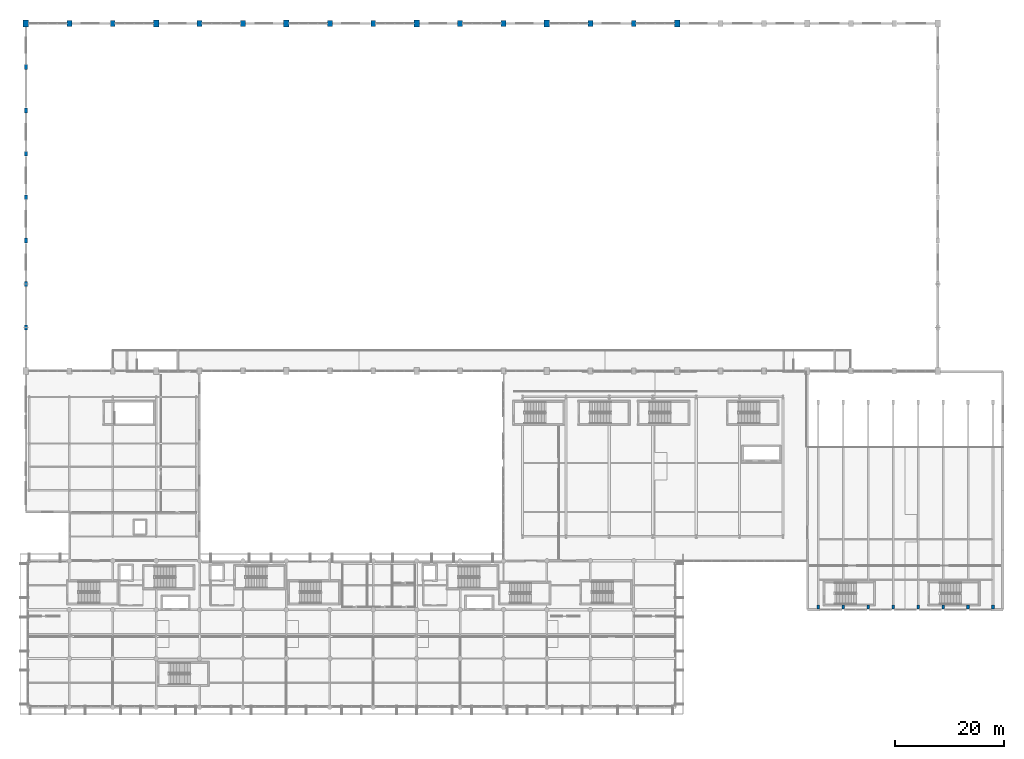
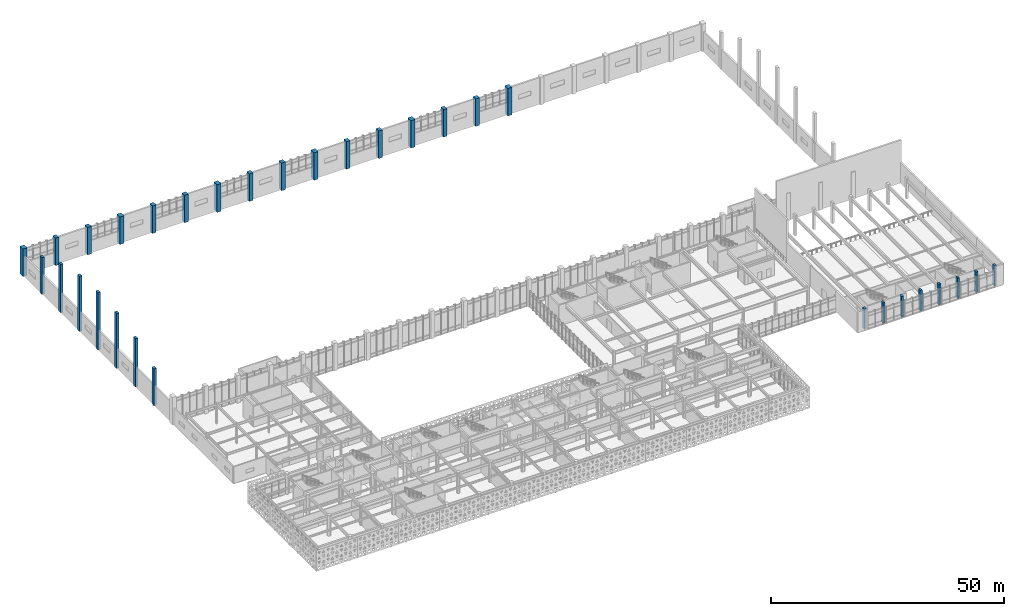
# One storey, part 6 of 84: 31 columns.
"""IFC4 building model written with IfcOpenShell, lengths in metres."""

from ifc_helpers import new_model, si_unit, direction, frame, origin, origin_2d, place, context, subcontext, project, spatial, rectangle, extrude, material, material_profile, profile_set, type_object, element, save


model = new_model("IFC4")

# Units and contexts
model_context = context("Model", 3, precision=1e-05, world=origin(), true_north=direction((0.0, 1.0)))
body_context = subcontext(model_context, "Body", "Model", "MODEL_VIEW")
ifc_project = project(units=[si_unit("LENGTHUNIT", "METRE"), si_unit("AREAUNIT", "SQUARE_METRE"), si_unit("VOLUMEUNIT", "CUBIC_METRE"), si_unit("PLANEANGLEUNIT", "RADIAN"), si_unit("MASSUNIT", "GRAM", prefix="KILO")], contexts=[model_context])

# Site, building, storey
site_placement = place(None, origin())
site = spatial("IfcSite", under=ifc_project, at=site_placement, CompositionType="ELEMENT")
building_placement = place(site_placement, origin())
building = spatial("IfcBuilding", under=site, at=building_placement, Name="Tlacozan Convention Centre", CompositionType="ELEMENT")
storey_placement = place(building_placement, frame((0.0, 0.0, 6.0)))
storey = spatial("IfcBuildingStorey", under=building, at=storey_placement, Name="L01", CompositionType="ELEMENT", Elevation=6.0)

# Columns
ifc_material = material(Name="Concrete C40/50", Category="concrete")
ifc_material_profile_1 = material_profile(ifc_material, rectangle(XDim=0.89990234375, YDim=1.10009765625, at=origin_2d()), Name="RC 900x1100")
ifc_profile_set_1 = profile_set([ifc_material_profile_1], Name="Concrete C40/50")
column_type_1 = type_object("IfcColumnType", Name="Column Buttress RC 900x1100", PredefinedType="COLUMN", material=ifc_profile_set_1)
for number, where, z_axis, x_axis, name in (
    (1, (8.0, 126.0, 0.0), (0.0, 0.0, 1.0), (1.0, 0.0, 0.0), "L01 Column 85"),
    (2, (16.0, 126.0, 0.0), (0.0, 0.0, 1.0), (1.0, 0.0, 0.0), "L01 Column 134"),
    (3, (32.0, 126.0, 0.0), (0.0, 0.0, 1.0), (1.0, 0.0, 0.0), "L01 Column 232"),
    (4, (40.0, 126.0, 0.0), (0.0, 0.0, 1.0), (1.0, 0.0, 0.0), "L01 Column 269"),
    (5, (56.0, 126.0, 0.0), (0.0, 0.0, 1.0), (1.0, 0.0, 0.0), "L01 Column 343"),
    (6, (64.0, 126.0, 0.0), (0.0, 0.0, 1.0), (1.0, 0.0, 0.0), "L01 Column 380"),
    (7, (80.0, 126.0, 0.0), (0.0, 0.0, 1.0), (1.0, 0.0, 0.0), "L01 Column 454"),
    (8, (88.0, 126.0, 0.0), (0.0, 0.0, 1.0), (1.0, 0.0, 0.0), "L01 Column 491"),
    (9, (104.0, 126.0, 0.0), (0.0, 0.0, 1.0), (1.0, 0.0, 0.0), "L01 Column 583"),
    (10, (112.0, 126.0, 0.0), (0.0, 0.0, 1.0), (1.0, 0.0, 0.0), "L01 Column 626"),
):
    element("IfcColumn", number, at=place(storey_placement, frame(where, z_axis=z_axis, x_axis=x_axis)), inside=storey, type_object=column_type_1, Name=name, PredefinedType="COLUMN", context=body_context, shape_type="SweptSolid", body=[
        extrude(rectangle(XDim=0.89990234375, YDim=1.10009765625, at=origin_2d()), origin(), (0.0, 0.0, 1.0), 7.199951171875),
    ])
ifc_material_profile_2 = material_profile(ifc_material, rectangle(XDim=1.0, YDim=1.300048828125, at=origin_2d()), Name="RC 1000x1300")
ifc_profile_set_2 = profile_set([ifc_material_profile_2], Name="Concrete C40/50")
column_type_2 = type_object("IfcColumnType", Name="Column Mega Buttress RC 1000x1300", PredefinedType="COLUMN", material=ifc_profile_set_2)
for number, where, z_axis, x_axis, name in (
    (11, (0.0, 126.0, 0.0), (0.0, 0.0, 1.0), (1.0, 0.0, 0.0), "L01 Column 27"),
    (12, (24.0, 126.0, 0.0), (0.0, 0.0, 1.0), (1.0, 0.0, 0.0), "L01 Column 183"),
    (13, (48.0, 126.0, 0.0), (0.0, 0.0, 1.0), (1.0, 0.0, 0.0), "L01 Column 306"),
    (14, (72.0, 126.0, 0.0), (0.0, 0.0, 1.0), (1.0, 0.0, 0.0), "L01 Column 417"),
    (15, (96.0, 126.0, 0.0), (0.0, 0.0, 1.0), (1.0, 0.0, 0.0), "L01 Column 540"),
    (16, (120.0, 126.0, 0.0), (0.0, 0.0, 1.0), (1.0, 0.0, 0.0), "L01 Column 649"),
):
    element("IfcColumn", number, at=place(storey_placement, frame(where, z_axis=z_axis, x_axis=x_axis)), inside=storey, type_object=column_type_2, Name=name, PredefinedType="COLUMN", context=body_context, shape_type="SweptSolid", body=[
        extrude(rectangle(XDim=1.0, YDim=1.300048828125, at=origin_2d()), origin(), (0.0, 0.0, 1.0), 7.199951171875),
    ])
ifc_material_profile_3 = material_profile(ifc_material, rectangle(XDim=0.5, YDim=0.800048828125, at=origin_2d()), Name="RC 500x800")
ifc_profile_set_3 = profile_set([ifc_material_profile_3], Name="Concrete C40/50")
column_type_3 = type_object("IfcColumnType", Name="Pilaster Cantera RC 500x800", PredefinedType="PILASTER", material=ifc_profile_set_3)
for number, where, z_axis, x_axis, name in (
    (17, (146.0, 18.5, 0.0), (0.0, 0.0, 1.0), (1.0, 0.0, 0.0), "L01 Column 723"),
    (18, (150.60009765625, 18.5, 0.0), (0.0, 0.0, 1.0), (1.0, 0.0, 0.0), "L01 Column 734"),
    (19, (155.199951171875, 18.5, 0.0), (0.0, 0.0, 1.0), (1.0, 0.0, 0.0), "L01 Column 758"),
    (20, (159.800048828125, 18.5, 0.0), (0.0, 0.0, 1.0), (1.0, 0.0, 0.0), "L01 Column 769"),
    (21, (164.39990234375, 18.5, 0.0), (0.0, 0.0, 1.0), (1.0, 0.0, 0.0), "L01 Column 793"),
    (22, (169.0, 18.5, 0.0), (0.0, 0.0, 1.0), (1.0, 0.0, 0.0), "L01 Column 831"),
    (23, (173.60009765625, 18.5, 0.0), (0.0, 0.0, 1.0), (1.0, 0.0, 0.0), "L01 Column 842"),
    (24, (178.199951171875, 18.5, 0.0), (0.0, 0.0, 1.0), (1.0, 0.0, 0.0), "L01 Column 853"),
):
    element("IfcColumn", number, at=place(storey_placement, frame(where, z_axis=z_axis, x_axis=x_axis)), inside=storey, type_object=column_type_3, Name=name, PredefinedType="PILASTER", context=body_context, shape_type="SweptSolid", body=[
        extrude(rectangle(XDim=0.5, YDim=0.800048828125, at=origin_2d()), origin(), (0.0, 0.0, 1.0), 5.39990234375),
    ])
ifc_material_profile_4 = material_profile(ifc_material, rectangle(XDim=0.60009765625, YDim=0.89990234375, at=origin_2d()), Name="RC 600x900")
ifc_profile_set_4 = profile_set([ifc_material_profile_4], Name="Concrete C40/50")
column_type_4 = type_object("IfcColumnType", Name="Pilaster Facade RC 600x900", PredefinedType="PILASTER", material=ifc_profile_set_4)
column_1_placement = place(storey_placement, frame((0.0, 70.0, 0.0), z_axis=(0.0, 0.0, 1.0), x_axis=(1.0, 0.0, 0.0)))
element("IfcColumn", 25, at=column_1_placement, inside=storey, type_object=column_type_4, Name="L01 Column 6", PredefinedType="PILASTER", context=body_context, shape_type="SweptSolid", body=[
    extrude(rectangle(XDim=0.60009765625, YDim=0.89990234375, at=origin_2d()), origin(), (0.0, 0.0, 1.0), 9.617919921875),
])
column_2_placement = place(storey_placement, frame((0.0, 78.0, 0.0), z_axis=(0.0, 0.0, 1.0), x_axis=(1.0, 0.0, 0.0)))
element("IfcColumn", 26, at=column_2_placement, inside=storey, type_object=column_type_4, Name="L01 Column 9", PredefinedType="PILASTER", context=body_context, shape_type="SweptSolid", body=[
    extrude(rectangle(XDim=0.60009765625, YDim=0.89990234375, at=origin_2d()), origin(), (0.0, 0.0, 1.0), 12.674072265625),
])
column_3_placement = place(storey_placement, frame((0.0, 86.0, 0.0), z_axis=(0.0, 0.0, 1.0), x_axis=(1.0, 0.0, 0.0)))
element("IfcColumn", 27, at=column_3_placement, inside=storey, type_object=column_type_4, Name="L01 Column 12", PredefinedType="PILASTER", context=body_context, shape_type="SweptSolid", body=[
    extrude(rectangle(XDim=0.60009765625, YDim=0.89990234375, at=origin_2d()), origin(), (0.0, 0.0, 1.0), 14.427978515625),
])
column_4_placement = place(storey_placement, frame((0.0, 94.0, 0.0), z_axis=(0.0, 0.0, 1.0), x_axis=(1.0, 0.0, 0.0)))
element("IfcColumn", 28, at=column_4_placement, inside=storey, type_object=column_type_4, Name="L01 Column 15", PredefinedType="PILASTER", context=body_context, shape_type="SweptSolid", body=[
    extrude(rectangle(XDim=0.60009765625, YDim=0.89990234375, at=origin_2d()), origin(), (0.0, 0.0, 1.0), 15.0),
])
column_5_placement = place(storey_placement, frame((0.0, 102.0, 0.0), z_axis=(0.0, 0.0, 1.0), x_axis=(1.0, 0.0, 0.0)))
element("IfcColumn", 29, at=column_5_placement, inside=storey, type_object=column_type_4, Name="L01 Column 18", PredefinedType="PILASTER", context=body_context, shape_type="SweptSolid", body=[
    extrude(rectangle(XDim=0.60009765625, YDim=0.89990234375, at=origin_2d()), origin(), (0.0, 0.0, 1.0), 14.427978515625),
])
column_6_placement = place(storey_placement, frame((0.0, 110.0, 0.0), z_axis=(0.0, 0.0, 1.0), x_axis=(1.0, 0.0, 0.0)))
element("IfcColumn", 30, at=column_6_placement, inside=storey, type_object=column_type_4, Name="L01 Column 21", PredefinedType="PILASTER", context=body_context, shape_type="SweptSolid", body=[
    extrude(rectangle(XDim=0.60009765625, YDim=0.89990234375, at=origin_2d()), origin(), (0.0, 0.0, 1.0), 12.674072265625),
])
column_7_placement = place(storey_placement, frame((0.0, 118.0, 0.0), z_axis=(0.0, 0.0, 1.0), x_axis=(1.0, 0.0, 0.0)))
element("IfcColumn", 31, at=column_7_placement, inside=storey, type_object=column_type_4, Name="L01 Column 24", PredefinedType="PILASTER", context=body_context, shape_type="SweptSolid", body=[
    extrude(rectangle(XDim=0.60009765625, YDim=0.89990234375, at=origin_2d()), origin(), (0.0, 0.0, 1.0), 9.617919921875),
])

save(model, "model.ifc")
